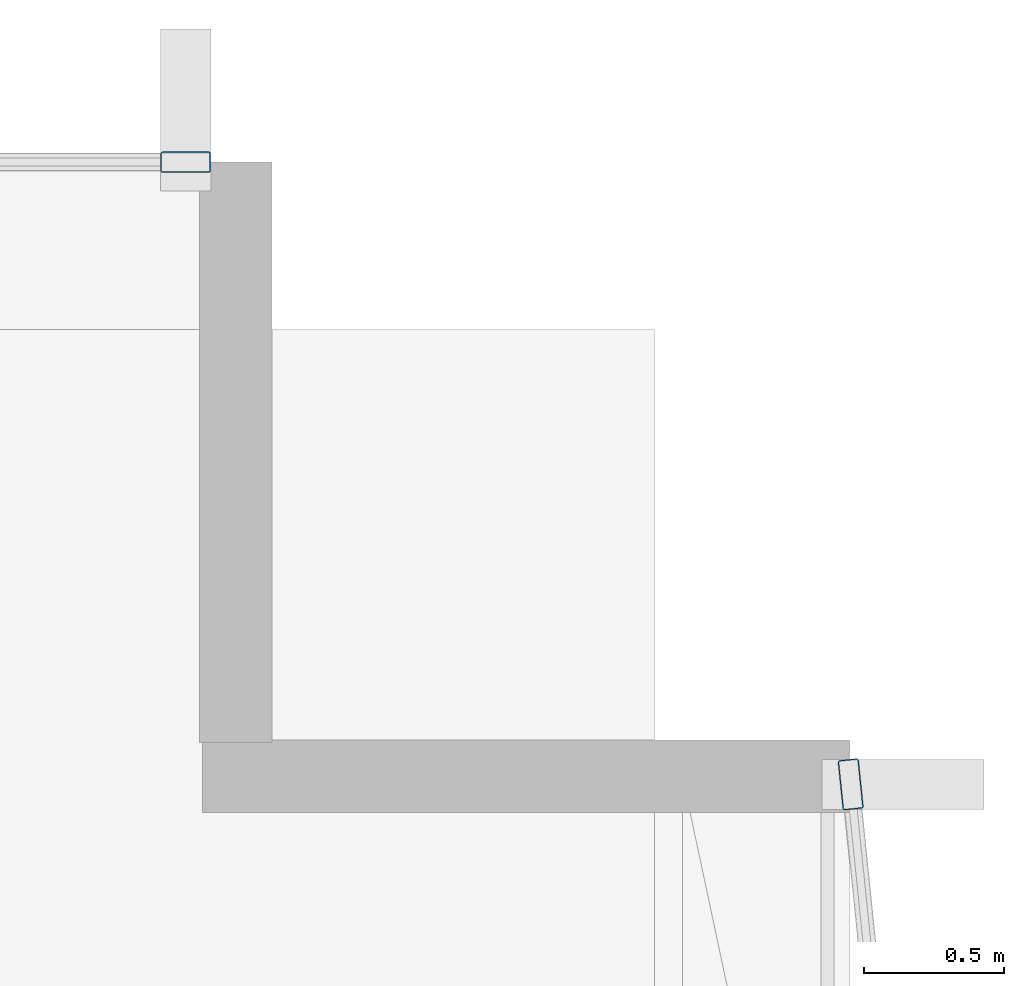
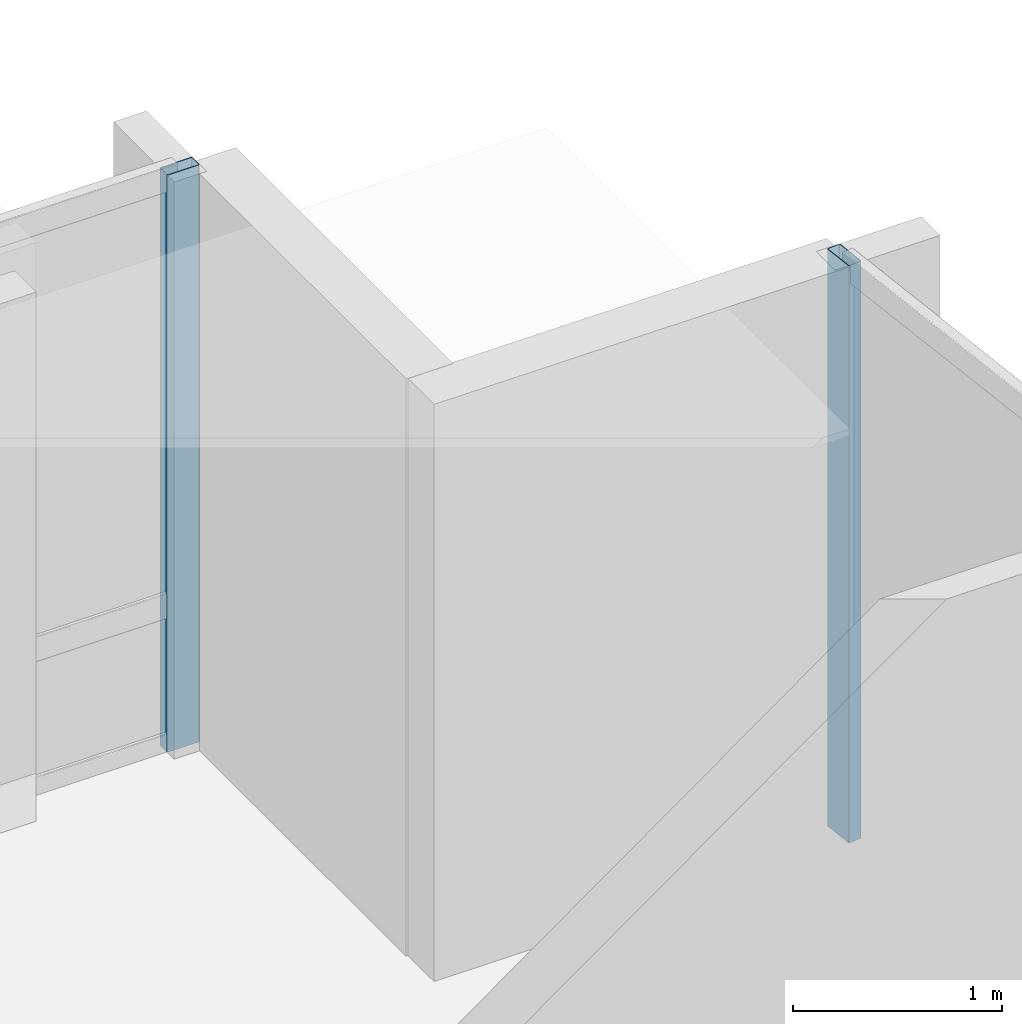
# One storey, part 18 of 35: 2 members, 2 elements without a shape of their own.
"""IFC4 building model written with IfcOpenShell, lengths in metres."""

from ifc_helpers import new_model, si_unit, direction, frame, origin, origin_2d, place, context, subcontext, project, spatial, hollow_rectangle, extrude, material, layer, layer_set, material_profile, profile_set, type_object, element, aggregate, save


model = new_model("IFC4")

# Units and contexts
model_context = context("Model", 3, precision=1e-05, world=origin(), true_north=direction((0.0, 1.0)))
body_context = subcontext(model_context, "Body", "Model", "MODEL_VIEW")
ifc_project = project(units=[si_unit("LENGTHUNIT", "METRE"), si_unit("AREAUNIT", "SQUARE_METRE"), si_unit("VOLUMEUNIT", "CUBIC_METRE"), si_unit("PLANEANGLEUNIT", "RADIAN"), si_unit("MASSUNIT", "GRAM", prefix="KILO")], contexts=[model_context])

# Site, building, storey
site_placement = place(None, origin())
site = spatial("IfcSite", under=ifc_project, at=site_placement, CompositionType="ELEMENT")
building_placement = place(site_placement, origin())
building = spatial("IfcBuilding", under=site, at=building_placement, Name="Solvaryn Broadcast Tower", CompositionType="ELEMENT")
storey_placement = place(building_placement, frame((0.0, 0.0, 80.39990234375)))
storey = spatial("IfcBuildingStorey", under=building, at=storey_placement, Name="L19", CompositionType="ELEMENT", Elevation=80.39990234375)

# Curtain wall, member
ifc_material_1 = material(Name="Aluminium and Terracotta Unitised Curtain Wall", Category="masonry")
ifc_layer = layer(ifc_material_1, 0.199951171875)
ifc_layer_set = layer_set([ifc_layer], Name="CW-SYS2-LOWMID")
curtain_wall_type = type_object("IfcCurtainWallType", Name="CW-SYS2-LOWMID", PredefinedType="NOTDEFINED", material=ifc_layer_set)
curtain_wall_1_placement = place(storey_placement, origin())
curtain_wall_1 = element("IfcCurtainWall", 1, at=curtain_wall_1_placement, inside=storey, type_object=curtain_wall_type, Name="L19 Curtain Wall ET1", PredefinedType="NOTDEFINED")
ifc_material_2 = material(Name="Anodised Aluminium 6063-T6", Category="aluminium")
ifc_material_profile = material_profile(ifc_material_2, hollow_rectangle(XDim=0.074951171875, YDim=0.179931640625, WallThickness=0.00390625, InnerFilletRadius=0.00390625, OuterFilletRadius=0.008056640625, at=origin_2d()))
ifc_profile_set = profile_set([ifc_material_profile], Name="Anodised Aluminium 6063-T6")
member_type = type_object("IfcMemberType", Name="CW-MUL-180", PredefinedType="MULLION", material=ifc_profile_set)
member_1_placement = place(storey_placement, frame((63.003173828125, 24.770263671875, 0.0), z_axis=(0.0, 0.0, 1.0), x_axis=(0.99474329889, 0.10240004548, 0.0)))
member_1 = element("IfcMember", 2, at=member_1_placement, type_object=member_type, Name="CWS2 mullion 1", PredefinedType="MULLION", context=body_context, shape_type="SweptSolid", body=[
    extrude(hollow_rectangle(XDim=0.074951171875, YDim=0.179931640625, WallThickness=0.00390625, InnerFilletRadius=0.00390625, OuterFilletRadius=0.008056640625, at=origin_2d()), origin(), (0.0, 0.0, 1.0), 3.3701171875),
])
aggregate(curtain_wall_1, [member_1])

curtain_wall_2_placement = place(storey_placement, origin())
curtain_wall_2 = element("IfcCurtainWall", 3, at=curtain_wall_2_placement, inside=storey, type_object=curtain_wall_type, Name="L19 Curtain Wall IH", PredefinedType="NOTDEFINED")
member_2_placement = place(storey_placement, frame((60.6201171875, 27.0, 0.0), z_axis=(0.0, 0.0, 1.0), x_axis=(0.0, 1.0, 0.0)))
member_2 = element("IfcMember", 4, at=member_2_placement, type_object=member_type, Name="CWS2 mullion 2", PredefinedType="MULLION", context=body_context, shape_type="SweptSolid", body=[
    extrude(hollow_rectangle(XDim=0.074951171875, YDim=0.179931640625, WallThickness=0.00390625, InnerFilletRadius=0.00390625, OuterFilletRadius=0.008056640625, at=origin_2d()), origin(), (0.0, 0.0, 1.0), 3.3701171875),
])
aggregate(curtain_wall_2, [member_2])

save(model, "model.ifc")
